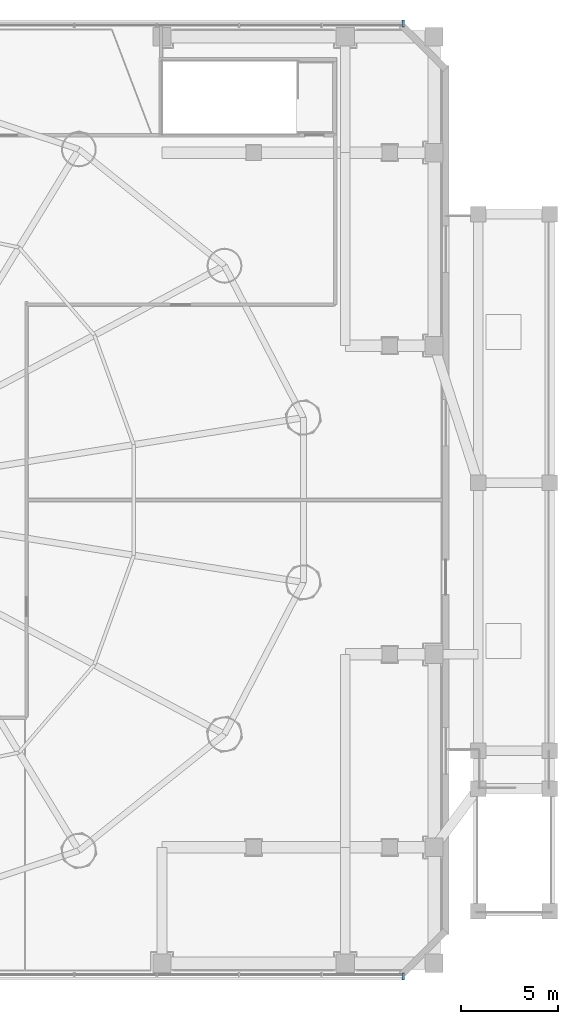
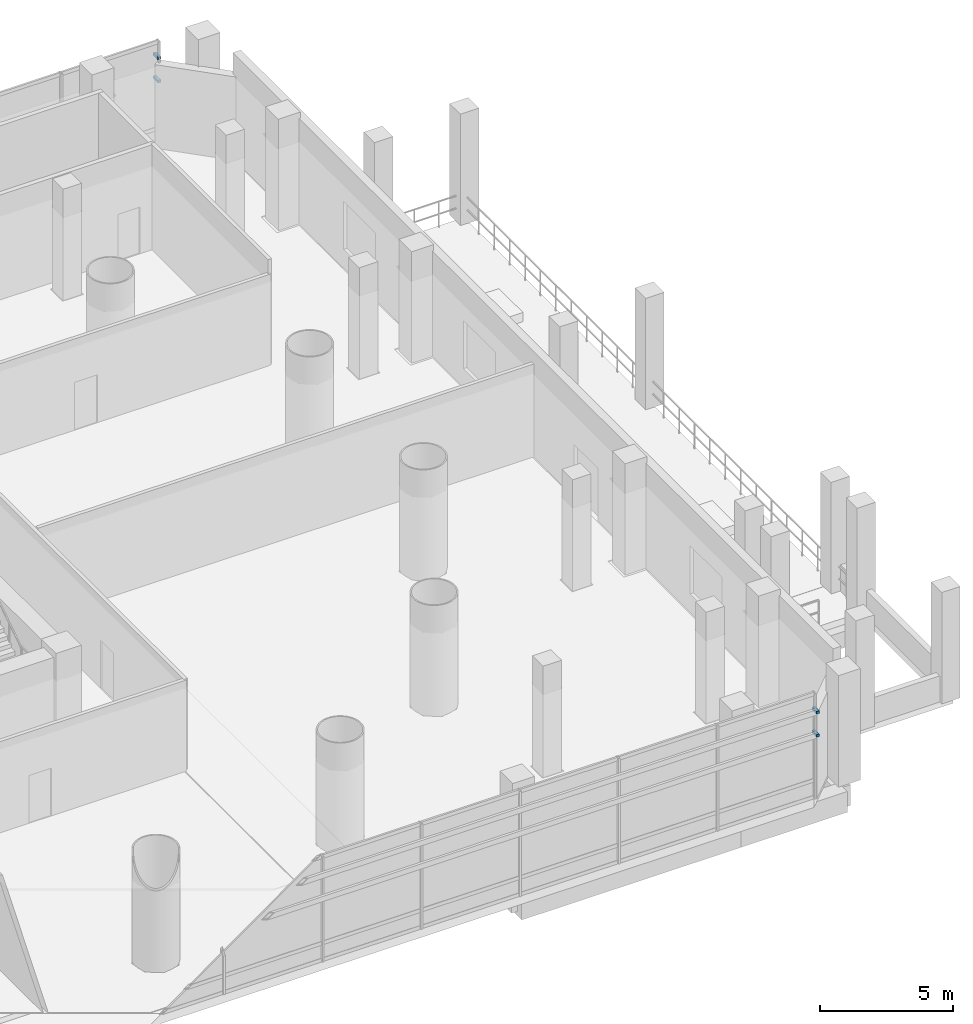
# One storey, part 26 of 31: 4 discrete accessories.
"""IFC4 building model written with IfcOpenShell, lengths in metres."""

import ifcopenshell
import ifcopenshell.guid

model = None  # the IFC model being written
_history = None  # IfcOwnerHistory: only IFC2X3 demands one
_inside = {}  # id of a spatial element -> (the spatial element, [elements in it])
_under = {}  # id of a project, library or spatial element -> (it, [spatial elements below it])
_declared = {}  # id of a project -> (the project, [libraries it declares])
_typed = {}  # id of a type object -> (the type object, [elements of that type])
_made_of = {}  # id of a material, layer set ... -> (it, [elements and type objects made of it])


def new_model(schema):
    """Start an empty IFC model of exactly this schema.

    Asked for "IFC4X3", IfcOpenShell would pick the latest addendum, in which some entities
    have other attributes; the version numbers below select the first issue.
    IFC2X3 requires an IfcOwnerHistory on every rooted entity: one is made here for all.
    """
    global model, _history
    if schema == "IFC4X3":
        model = ifcopenshell.file(schema_version=(4, 3, 0, 0))
    else:
        model = ifcopenshell.file(schema=schema)
    _inside.clear()
    _under.clear()
    _declared.clear()
    _typed.clear()
    _made_of.clear()
    _history = None
    if model.schema == "IFC2X3":
        org = make("IfcOrganization", Name="unknown")
        user = make(
            "IfcPersonAndOrganization",
            ThePerson=make("IfcPerson", FamilyName="unknown"),
            TheOrganization=org,
        )
        app = make(
            "IfcApplication",
            ApplicationDeveloper=org,
            Version="unknown",
            ApplicationFullName="unknown",
            ApplicationIdentifier="unknown",
        )
        _history = make(
            "IfcOwnerHistory",
            OwningUser=user,
            OwningApplication=app,
            ChangeAction="ADDED",
            CreationDate=0,
        )
    return model


def make(cls, **values):
    """One entity of the class cls with the attributes given. An attribute that is None is left unset."""
    return model.create_entity(
        cls, **{name: value for name, value in values.items() if value is not None}
    )


def rooted(cls, **values):
    """An entity with a GlobalId (a new one), such as an element, a storey or a relation."""
    return make(cls, GlobalId=ifcopenshell.guid.new(), OwnerHistory=_history, **values)


def si_unit(unit_type, name, prefix=None):
    """IfcSIUnit, for example si_unit("LENGTHUNIT", "METRE", prefix="MILLI")."""
    return make("IfcSIUnit", UnitType=unit_type, Prefix=prefix, Name=name)


def assignment(units):
    """IfcUnitAssignment: the units of a project."""
    return None if units is None else make("IfcUnitAssignment", Units=units)


def point(xyz):
    """IfcCartesianPoint."""
    return None if xyz is None else make("IfcCartesianPoint", Coordinates=xyz)


def direction(xyz):
    """IfcDirection."""
    return None if xyz is None else make("IfcDirection", DirectionRatios=xyz)


def frame(location, z_axis=None, x_axis=None):
    """IfcAxis2Placement3D, a coordinate frame: its origin and axes. An axis left out is left unset."""
    return make(
        "IfcAxis2Placement3D",
        Location=point(location),
        Axis=direction(z_axis),
        RefDirection=direction(x_axis),
    )


def frame_2d(location, x_axis=None):
    """IfcAxis2Placement2D, a coordinate frame in the plane: its origin and x axis."""
    return make(
        "IfcAxis2Placement2D", Location=point(location), RefDirection=direction(x_axis)
    )


def origin():
    """The frame at (0, 0, 0) with its axes left unset."""
    return frame((0.0, 0.0, 0.0))


def origin_2d():
    """The frame at (0, 0) in the plane with its x axis left unset."""
    return frame_2d((0.0, 0.0))


def place(relative_to, where):
    """IfcLocalPlacement: puts the frame where relative to a parent placement (None: the world)."""
    return make(
        "IfcLocalPlacement", PlacementRelTo=relative_to, RelativePlacement=where
    )


def context(
    kind, dimensions, precision=None, world=None, true_north=None, identifier=None
):
    """IfcGeometricRepresentationContext, for example the 3D "Model" context."""
    return make(
        "IfcGeometricRepresentationContext",
        ContextIdentifier=identifier,
        ContextType=kind,
        CoordinateSpaceDimension=dimensions,
        Precision=precision,
        WorldCoordinateSystem=world,
        TrueNorth=true_north,
    )


def subcontext(parent, identifier, kind, view, scale=None):
    """IfcGeometricRepresentationSubContext, for example "Body" below "Model"."""
    return make(
        "IfcGeometricRepresentationSubContext",
        ContextIdentifier=identifier,
        ContextType=kind,
        ParentContext=parent,
        TargetScale=scale,
        TargetView=view,
    )


def project(units=None, contexts=None):
    """IfcProject with its units and contexts."""
    return rooted(
        "IfcProject",
        Name="project",
        RepresentationContexts=contexts,
        UnitsInContext=assignment(units),
    )


def spatial(cls, under=None, at=None, **own):
    """A site, building, storey or space (cls), placed at a placement, below another one or the project."""
    s = rooted(cls, ObjectPlacement=at, **own)
    if under is not None:
        _under.setdefault(under.id(), (under, []))[1].append(s)
    return s


def profile(cls, at=None, kind="AREA", **sizes):
    """A parametric profile (cls). Its sizes go by their IFC names, for example OverallWidth=200.0."""
    return make(cls, ProfileType=kind, Position=at, **sizes)


def rectangle(**sizes):
    """IfcRectangleProfileDef."""
    return profile("IfcRectangleProfileDef", **sizes)


def extrude(swept, where, along, depth):
    """IfcExtrudedAreaSolid: the profile swept, set in the frame where, extruded along a direction by depth."""
    return make(
        "IfcExtrudedAreaSolid",
        SweptArea=swept,
        Position=where,
        ExtrudedDirection=direction(along),
        Depth=depth,
    )


def shape(context_of_items, identifier, shape_type, items):
    """IfcShapeRepresentation: the items that make up one representation, for example the "Body"."""
    return make(
        "IfcShapeRepresentation",
        ContextOfItems=context_of_items,
        RepresentationIdentifier=identifier,
        RepresentationType=shape_type,
        Items=items,
    )


def source(mapping_origin, context_of_items, identifier, shape_type, items):
    """IfcRepresentationMap: a shape defined once, which mapped items show again and again."""
    return make(
        "IfcRepresentationMap",
        MappingOrigin=mapping_origin,
        MappedRepresentation=shape(context_of_items, identifier, shape_type, items),
    )


def transform(
    local_origin,
    x_axis=None,
    y_axis=None,
    z_axis=None,
    scale=None,
    scale2=None,
    scale3=None,
    uniform=True,
):
    """IfcCartesianTransformationOperator3D, or its non-uniform kind. x_axis, y_axis, z_axis: its Axis1, 2, 3."""
    if uniform:
        return make(
            "IfcCartesianTransformationOperator3D",
            Axis1=direction(x_axis),
            Axis2=direction(y_axis),
            LocalOrigin=point(local_origin),
            Scale=scale,
            Axis3=direction(z_axis),
        )
    return make(
        "IfcCartesianTransformationOperator3DnonUniform",
        Axis1=direction(x_axis),
        Axis2=direction(y_axis),
        LocalOrigin=point(local_origin),
        Scale=scale,
        Axis3=direction(z_axis),
        Scale2=scale2,
        Scale3=scale3,
    )


def mapped(mapping_source, mapping_target):
    """IfcMappedItem: shows the shape of a source again, moved by a transform."""
    return make(
        "IfcMappedItem", MappingSource=mapping_source, MappingTarget=mapping_target
    )


def material(Name=None, Category=None):
    """IfcMaterial."""
    return make("IfcMaterial", Name=Name, Category=Category)


def layer(
    of_material, thickness, ventilated=None, Name=None, Category=None, Priority=None
):
    """IfcMaterialLayer: one layer of a wall or slab, of a material (None: an air gap)."""
    return make(
        "IfcMaterialLayer",
        Material=of_material,
        LayerThickness=thickness,
        IsVentilated=ventilated,
        Name=Name,
        Category=Category,
        Priority=Priority,
    )


def layer_set(layers, Name=None):
    """IfcMaterialLayerSet."""
    return make("IfcMaterialLayerSet", MaterialLayers=layers, LayerSetName=Name)


def made_of(thing, what):
    """Note that an element or type object is made of a material, layer set ...; save() writes the relation."""
    if what is not None:
        _made_of.setdefault(what.id(), (what, []))[1].append(thing)
    return thing


def type_object(cls, material=None, **own):
    """A type object (cls), such as IfcWallType, which elements share."""
    return made_of(rooted(cls, **own), material)


def element(
    cls,
    number,
    at=None,
    inside=None,
    cuts=None,
    type_object=None,
    material=None,
    context=None,
    identifier="Body",
    shape_type=None,
    held_by="IfcProductDefinitionShape",
    body=None,
    shapes=None,
    **own,
):
    """One element of the class cls, such as IfcWall. Its Tag is "e" and its number.

    at: its placement. inside: the storey or other place that contains it. cuts: it is an
    opening in that element (IfcRelVoidsElement). A single representation is given by context,
    identifier, shape_type and body (its items); several are given by shapes. held_by: the class
    of the entity that holds the representations. save() writes the other relations.
    """
    e = rooted(cls, Tag="e%d" % number, ObjectPlacement=at, **own)
    if body is not None:
        shapes = [shape(context, identifier, shape_type, body)]
    if shapes is not None:
        e.Representation = make(held_by, Representations=shapes)
    if inside is not None:
        _inside.setdefault(inside.id(), (inside, []))[1].append(e)
    if cuts is not None:
        rooted(
            "IfcRelVoidsElement", RelatingBuildingElement=cuts, RelatedOpeningElement=e
        )
    if type_object is not None:
        _typed.setdefault(type_object.id(), (type_object, []))[1].append(e)
    return made_of(e, material)


def aggregate(whole, parts):
    """IfcRelAggregates: a whole, such as a stair, and the parts it consists of."""
    return rooted("IfcRelAggregates", RelatingObject=whole, RelatedObjects=parts)


def save(model, path):
    """Write the relations noted so far, then the file.

    IfcRelAggregates (storeys below a building ...), IfcRelContainedInSpatialStructure (elements
    in a storey), IfcRelDefinesByType, IfcRelAssociatesMaterial and IfcRelDeclares: one each for
    every whole, place, type object, material and project.
    """
    for whole, parts in _under.values():
        aggregate(whole, parts)
    for where, things in _inside.values():
        rooted(
            "IfcRelContainedInSpatialStructure",
            RelatedElements=things,
            RelatingStructure=where,
        )
    for kind, things in _typed.values():
        rooted("IfcRelDefinesByType", RelatedObjects=things, RelatingType=kind)
    for what, things in _made_of.values():
        rooted("IfcRelAssociatesMaterial", RelatedObjects=things, RelatingMaterial=what)
    for by, libraries in _declared.values():
        rooted("IfcRelDeclares", RelatingContext=by, RelatedDefinitions=libraries)
    model.write(path)


model = new_model("IFC4")

# Units and contexts
model_context = context("Model", 3, precision=1e-05, world=origin(), true_north=direction((-0.2419218956, 0.970295726276)))
body_context = subcontext(model_context, "Body", "Model", "MODEL_VIEW")
ifc_project = project(units=[si_unit("LENGTHUNIT", "METRE"), si_unit("AREAUNIT", "SQUARE_METRE"), si_unit("VOLUMEUNIT", "CUBIC_METRE"), si_unit("PLANEANGLEUNIT", "RADIAN"), si_unit("MASSUNIT", "GRAM", prefix="KILO")], contexts=[model_context])

# Site, building, storey
site_placement = place(None, origin())
site = spatial("IfcSite", under=ifc_project, at=site_placement, CompositionType="ELEMENT")
building_placement = place(site_placement, origin())
building = spatial("IfcBuilding", under=site, at=building_placement, Name="Cobrevalo Terracotta Tower", CompositionType="ELEMENT")
storey_placement = place(building_placement, frame((0.0, 0.0, 18.89990234375)))
storey = spatial("IfcBuildingStorey", under=building, at=storey_placement, Name="L04", CompositionType="ELEMENT", Elevation=18.89990234375)

# Discrete accessories
ifc_material = material(Name="Brushed stainless steel", Category="steel")
ifc_layer = layer(ifc_material, 0.1201171875)
ifc_layer_set = layer_set([ifc_layer], Name="Brushed stainless steel")
discrete_accessory_type = type_object("IfcDiscreteAccessoryType", Name="Stainless Steel Facade & Canopy Support Bracket", PredefinedType="BRACKET", material=ifc_layer_set)
shared_shape = source(origin(), body_context, "Body", "SweptSolid", [
    extrude(rectangle(XDim=0.1201171875, YDim=0.360107421875, at=origin_2d()), origin(), (0.0, 0.0, 1.0), 0.1201171875),
])
for number, where, z_axis, x_axis, name in (
    (1, (70.010009765625, 2.110107421875, 2.928466796875), (0.0, 0.0, 1.0), (1.0, 0.0, 0.0), "CW-POD-L04-S stainless baguette support bracket 1-B"),
    (2, (70.010009765625, 2.110107421875, 3.98876953125), (0.0, 0.0, 1.0), (1.0, 0.0, 0.0), "CW-POD-L04-S stainless baguette support bracket 2-B"),
    (3, (70.010009765625, 51.489990234375, 2.928466796875), (0.0, 0.0, 1.0), (-1.0, 0.0, 0.0), "CW-POD-L04-N stainless baguette support bracket 1-A"),
    (4, (70.010009765625, 51.489990234375, 3.98876953125), (0.0, 0.0, 1.0), (-1.0, 0.0, 0.0), "CW-POD-L04-N stainless baguette support bracket 2-A"),
):
    element("IfcDiscreteAccessory", number, at=place(storey_placement, frame(where, z_axis=z_axis, x_axis=x_axis)), inside=storey, type_object=discrete_accessory_type, Name=name, PredefinedType="BRACKET", context=body_context, shape_type="MappedRepresentation", body=[
        mapped(shared_shape, transform((0.0, 0.0, 0.0), scale=1.0)),
    ])

save(model, "model.ifc")
